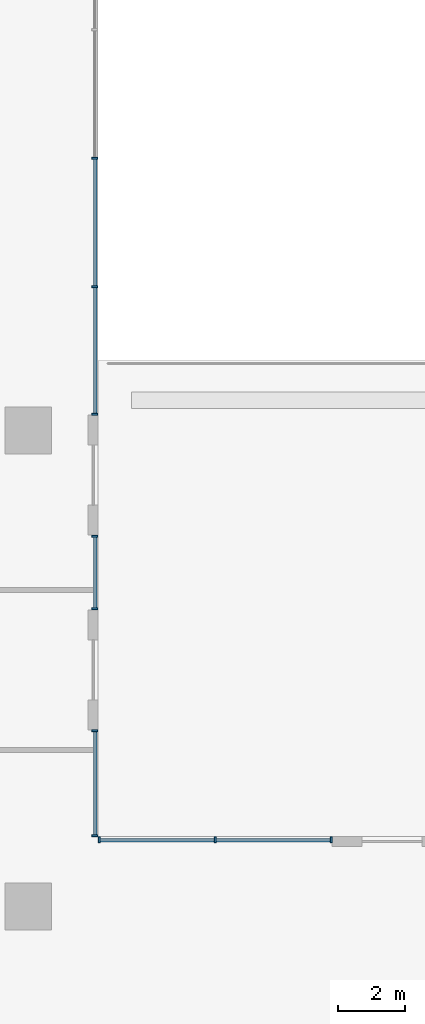
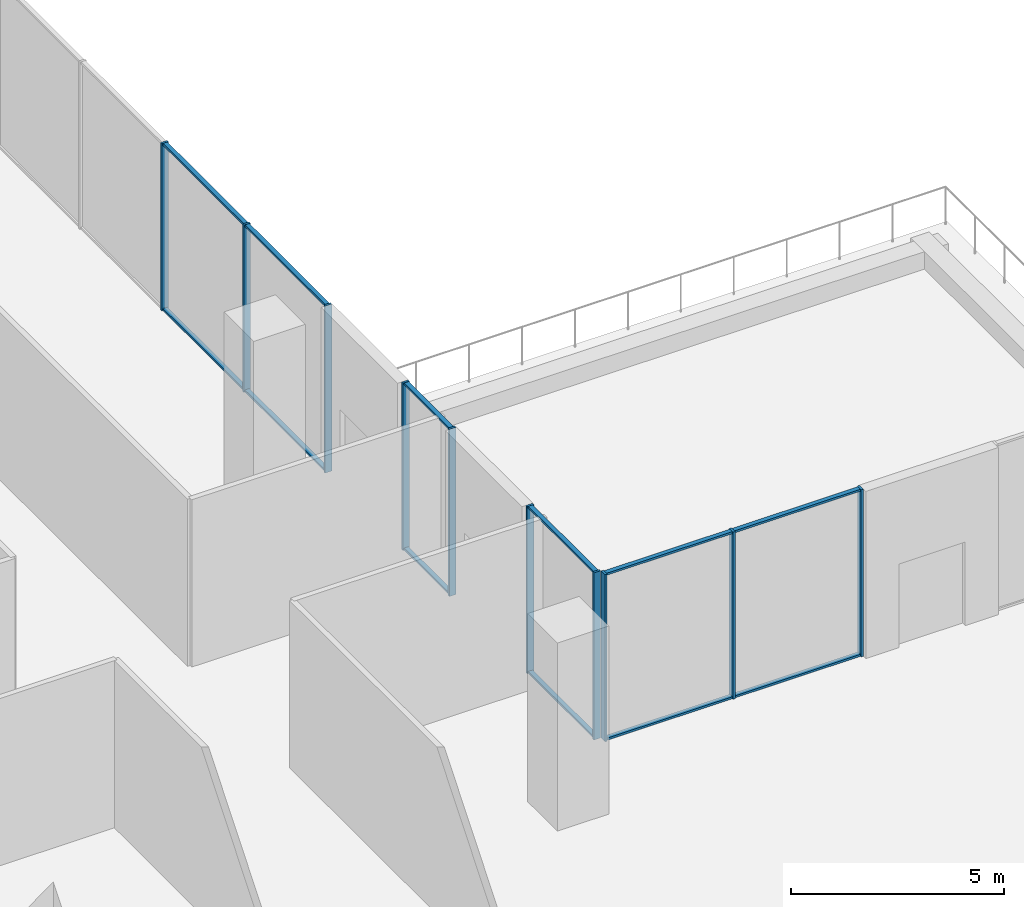
# One storey, part 7 of 23: 22 members, 4 elements without a shape of their own.
"""IFC4 building model written with IfcOpenShell, lengths in metres."""

from ifc_helpers import new_model, si_unit, direction, frame, origin, origin_2d, place, context, subcontext, project, spatial, rectangle, extrude, source, transform, mapped, material, layer, layer_set, material_profile, profile_set, type_object, element, aggregate, save


model = new_model("IFC4")

# Units and contexts
model_context = context("Model", 3, precision=1e-05, world=origin(), true_north=direction((0.0, 1.0)))
body_context = subcontext(model_context, "Body", "Model", "MODEL_VIEW")
ifc_project = project(units=[si_unit("LENGTHUNIT", "METRE"), si_unit("AREAUNIT", "SQUARE_METRE"), si_unit("VOLUMEUNIT", "CUBIC_METRE"), si_unit("PLANEANGLEUNIT", "RADIAN"), si_unit("MASSUNIT", "GRAM", prefix="KILO")], contexts=[model_context])

# Site, building, storey
site_placement = place(None, origin())
site = spatial("IfcSite", under=ifc_project, at=site_placement, CompositionType="ELEMENT")
building_placement = place(site_placement, origin())
building = spatial("IfcBuilding", under=site, at=building_placement, Name="Aurelian Terraces", CompositionType="ELEMENT")
storey_placement = place(building_placement, frame((0.0, 0.0, 23.7)))
storey = spatial("IfcBuildingStorey", under=building, at=storey_placement, Name="L04", CompositionType="ELEMENT", Elevation=23.7)

# Curtain wall, member
ifc_material_1 = material(Name="Anodised aluminium and clear glazing", Category="aluminium")
ifc_layer = layer(ifc_material_1, 0.2)
ifc_layer_set = layer_set([ifc_layer], Name="Winter garden glazing curtain wall")
curtain_wall_type = type_object("IfcCurtainWallType", Name="Winter garden glazing curtain wall", PredefinedType="NOTDEFINED", material=ifc_layer_set)
curtain_wall_1_placement = place(storey_placement, origin())
curtain_wall_1 = element("IfcCurtainWall", 1, at=curtain_wall_1_placement, inside=storey, type_object=curtain_wall_type, Name="Winter garden glazing L04 F04.1", PredefinedType="NOTDEFINED")
ifc_material_2 = material(Name="Anodised aluminium", Category="aluminium")
ifc_material_profile_1 = material_profile(ifc_material_2, rectangle(XDim=0.12, YDim=0.06, at=origin_2d()))
ifc_profile_set_1 = profile_set([ifc_material_profile_1], Name="Anodised aluminium")
member_type_1 = type_object("IfcMemberType", Name="Winter garden glazing transom", PredefinedType="USERDEFINED", material=ifc_profile_set_1)
member_1_placement = place(storey_placement, frame((54.08, 39.96, 0.03), z_axis=(0.0, 1.0, 0.0), x_axis=(-1.0, 0.0, 0.0)))
member_1 = element("IfcMember", 2, at=member_1_placement, type_object=member_type_1, Name="CW6 transom 1.1", ObjectType="TRANSOM", PredefinedType="USERDEFINED", context=body_context, shape_type="SweptSolid", body=[
    extrude(rectangle(XDim=0.12, YDim=0.06, at=origin_2d()), origin(), (0.0, 0.0, 1.0), 3.08),
])

curtain_wall_2_placement = place(storey_placement, origin())
curtain_wall_2 = element("IfcCurtainWall", 3, at=curtain_wall_2_placement, inside=storey, type_object=curtain_wall_type, Name="Winter garden glazing L04 F04.3", PredefinedType="NOTDEFINED")
member_2_placement = place(storey_placement, frame((54.08, 46.76, 0.03), z_axis=(0.0, 1.0, 0.0), x_axis=(-1.0, 0.0, 0.0)))
member_2 = element("IfcMember", 4, at=member_2_placement, type_object=member_type_1, Name="CW6 transom 1.1", ObjectType="TRANSOM", PredefinedType="USERDEFINED", context=body_context, shape_type="SweptSolid", body=[
    extrude(rectangle(XDim=0.12, YDim=0.06, at=origin_2d()), origin(), (0.0, 0.0, 1.0), 2.12),
])

# Curtain wall, members
curtain_wall_3_placement = place(storey_placement, origin())
curtain_wall_3 = element("IfcCurtainWall", 5, at=curtain_wall_3_placement, inside=storey, type_object=curtain_wall_type, Name="Winter garden glazing L04 F04.5", PredefinedType="NOTDEFINED")
member_3_placement = place(storey_placement, frame((54.08, 52.6, 0.03), z_axis=(0.0, 1.0, 0.0), x_axis=(-1.0, 0.0, 0.0)))
member_3 = element("IfcMember", 6, at=member_3_placement, type_object=member_type_1, Name="CW6 transom 1.1", ObjectType="TRANSOM", PredefinedType="USERDEFINED", context=body_context, shape_type="SweptSolid", body=[
    extrude(rectangle(XDim=0.12, YDim=0.06, at=origin_2d()), origin(), (0.0, 0.0, 1.0), 3.766),
])
member_4_placement = place(storey_placement, frame((54.08, 56.426, 0.03), z_axis=(0.0, 1.0, 0.0), x_axis=(-1.0, 0.0, 0.0)))
member_4 = element("IfcMember", 7, at=member_4_placement, type_object=member_type_1, Name="CW6 transom 2.1", ObjectType="TRANSOM", PredefinedType="USERDEFINED", context=body_context, shape_type="SweptSolid", body=[
    extrude(rectangle(XDim=0.12, YDim=0.06, at=origin_2d()), origin(), (0.0, 0.0, 1.0), 3.796),
])

curtain_wall_4_placement = place(storey_placement, origin())
curtain_wall_4 = element("IfcCurtainWall", 8, at=curtain_wall_4_placement, inside=storey, type_object=curtain_wall_type, Name="Winter garden glazing L04 F03.3", PredefinedType="NOTDEFINED")
ifc_material_profile_2 = material_profile(ifc_material_2, rectangle(XDim=0.18, YDim=0.06, at=origin_2d()))
ifc_profile_set_2 = profile_set([ifc_material_profile_2], Name="Anodised aluminium")
member_type_2 = type_object("IfcMemberType", Name="Winter garden glazing mullion", PredefinedType="MULLION", material=ifc_profile_set_2)
shared_shape_1 = source(origin(), body_context, "Body", "SweptSolid", [
    extrude(rectangle(XDim=0.18, YDim=0.06, at=origin_2d()), origin(), (0.0, 0.0, 1.0), 4.8),
])
member_5_placement = place(storey_placement, frame((61.17, 39.8, 0.0), z_axis=(0.0, 0.0, 1.0), x_axis=(0.0, -1.0, 0.0)))
member_5 = element("IfcMember", 9, at=member_5_placement, type_object=member_type_2, Name="CW6 mullion 1", PredefinedType="MULLION", context=body_context, shape_type="MappedRepresentation", body=[
    mapped(shared_shape_1, transform((0.0, 0.0, 0.0), scale=1.0)),
])
member_6_placement = place(storey_placement, frame((57.69, 39.8, 0.0), z_axis=(0.0, 0.0, 1.0), x_axis=(0.0, -1.0, 0.0)))
member_6 = element("IfcMember", 10, at=member_6_placement, type_object=member_type_2, Name="CW6 mullion 2", PredefinedType="MULLION", context=body_context, shape_type="MappedRepresentation", body=[
    mapped(shared_shape_1, transform((0.0, 0.0, 0.0), scale=1.0)),
])
member_7_placement = place(storey_placement, frame((54.21, 39.8, 0.0), z_axis=(0.0, 0.0, 1.0), x_axis=(0.0, -1.0, 0.0)))
member_7 = element("IfcMember", 11, at=member_7_placement, type_object=member_type_2, Name="CW6 mullion 3", PredefinedType="MULLION", context=body_context, shape_type="MappedRepresentation", body=[
    mapped(shared_shape_1, transform((0.0, 0.0, 0.0), scale=1.0)),
])

# Member
member_8_placement = place(storey_placement, frame((54.08, 39.93, 0.0), z_axis=(0.0, 0.0, 1.0), x_axis=(-1.0, 0.0, 0.0)))
member_8 = element("IfcMember", 12, at=member_8_placement, type_object=member_type_2, Name="CW6 mullion 1", PredefinedType="MULLION", context=body_context, shape_type="MappedRepresentation", body=[
    mapped(shared_shape_1, transform((0.0, 0.0, 0.0), scale=1.0)),
])

member_9_placement = place(storey_placement, frame((54.08, 43.07, 0.0), z_axis=(0.0, 0.0, 1.0), x_axis=(-1.0, 0.0, 0.0)))
member_9 = element("IfcMember", 13, at=member_9_placement, type_object=member_type_2, Name="CW6 mullion 2", PredefinedType="MULLION", context=body_context, shape_type="MappedRepresentation", body=[
    mapped(shared_shape_1, transform((0.0, 0.0, 0.0), scale=1.0)),
])

member_10_placement = place(storey_placement, frame((54.08, 46.73, 0.0), z_axis=(0.0, 0.0, 1.0), x_axis=(-1.0, 0.0, 0.0)))
member_10 = element("IfcMember", 14, at=member_10_placement, type_object=member_type_2, Name="CW6 mullion 1", PredefinedType="MULLION", context=body_context, shape_type="MappedRepresentation", body=[
    mapped(shared_shape_1, transform((0.0, 0.0, 0.0), scale=1.0)),
])

member_11_placement = place(storey_placement, frame((54.08, 48.91, 0.0), z_axis=(0.0, 0.0, 1.0), x_axis=(-1.0, 0.0, 0.0)))
member_11 = element("IfcMember", 15, at=member_11_placement, type_object=member_type_2, Name="CW6 mullion 2", PredefinedType="MULLION", context=body_context, shape_type="MappedRepresentation", body=[
    mapped(shared_shape_1, transform((0.0, 0.0, 0.0), scale=1.0)),
])

member_12_placement = place(storey_placement, frame((54.08, 52.57, 0.0), z_axis=(0.0, 0.0, 1.0), x_axis=(-1.0, 0.0, 0.0)))
member_12 = element("IfcMember", 16, at=member_12_placement, type_object=member_type_2, Name="CW6 mullion 1", PredefinedType="MULLION", context=body_context, shape_type="MappedRepresentation", body=[
    mapped(shared_shape_1, transform((0.0, 0.0, 0.0), scale=1.0)),
])

member_13_placement = place(storey_placement, frame((54.08, 56.396, 0.0), z_axis=(0.0, 0.0, 1.0), x_axis=(-1.0, 0.0, 0.0)))
member_13 = element("IfcMember", 17, at=member_13_placement, type_object=member_type_2, Name="CW6 mullion 2", PredefinedType="MULLION", context=body_context, shape_type="MappedRepresentation", body=[
    mapped(shared_shape_1, transform((0.0, 0.0, 0.0), scale=1.0)),
])

member_14_placement = place(storey_placement, frame((54.08, 60.252, 0.0), z_axis=(0.0, 0.0, 1.0), x_axis=(-1.0, 0.0, 0.0)))
member_14 = element("IfcMember", 18, at=member_14_placement, type_object=member_type_2, Name="CW6 mullion 3", PredefinedType="MULLION", context=body_context, shape_type="MappedRepresentation", body=[
    mapped(shared_shape_1, transform((0.0, 0.0, 0.0), scale=1.0)),
])

shared_shape_2 = source(origin(), body_context, "Body", "SweptSolid", [
    extrude(rectangle(XDim=0.12, YDim=0.06, at=origin_2d()), origin(), (0.0, 0.0, 1.0), 3.42),
])
member_15_placement = place(storey_placement, frame((61.14, 39.8, 0.03), z_axis=(-1.0, 0.0, 0.0), x_axis=(0.0, -1.0, 0.0)))
member_15 = element("IfcMember", 19, at=member_15_placement, type_object=member_type_1, Name="CW6 transom 1.1", ObjectType="TRANSOM", PredefinedType="USERDEFINED", context=body_context, shape_type="MappedRepresentation", body=[
    mapped(shared_shape_2, transform((0.0, 0.0, 0.0), scale=1.0)),
])

member_16_placement = place(storey_placement, frame((61.14, 39.8, 4.77), z_axis=(-1.0, 0.0, 0.0), x_axis=(0.0, -1.0, 0.0)))
member_16 = element("IfcMember", 20, at=member_16_placement, type_object=member_type_1, Name="CW6 transom 1.2", ObjectType="TRANSOM", PredefinedType="USERDEFINED", context=body_context, shape_type="MappedRepresentation", body=[
    mapped(shared_shape_2, transform((0.0, 0.0, 0.0), scale=1.0)),
])

member_17_placement = place(storey_placement, frame((57.66, 39.8, 0.03), z_axis=(-1.0, 0.0, 0.0), x_axis=(0.0, -1.0, 0.0)))
member_17 = element("IfcMember", 21, at=member_17_placement, type_object=member_type_1, Name="CW6 transom 2.1", ObjectType="TRANSOM", PredefinedType="USERDEFINED", context=body_context, shape_type="MappedRepresentation", body=[
    mapped(shared_shape_2, transform((0.0, 0.0, 0.0), scale=1.0)),
])

member_18_placement = place(storey_placement, frame((57.66, 39.8, 4.77), z_axis=(-1.0, 0.0, 0.0), x_axis=(0.0, -1.0, 0.0)))
member_18 = element("IfcMember", 22, at=member_18_placement, type_object=member_type_1, Name="CW6 transom 2.2", ObjectType="TRANSOM", PredefinedType="USERDEFINED", context=body_context, shape_type="MappedRepresentation", body=[
    mapped(shared_shape_2, transform((0.0, 0.0, 0.0), scale=1.0)),
])

aggregate(curtain_wall_4, [member_5, member_6, member_7, member_15, member_16, member_17, member_18])

shared_shape_3 = source(origin(), body_context, "Body", "SweptSolid", [
    extrude(rectangle(XDim=0.12, YDim=0.06, at=origin_2d()), origin(), (0.0, 0.0, 1.0), 3.08),
])
member_19_placement = place(storey_placement, frame((54.08, 39.96, 4.77), z_axis=(0.0, 1.0, 0.0), x_axis=(-1.0, 0.0, 0.0)))
member_19 = element("IfcMember", 23, at=member_19_placement, type_object=member_type_1, Name="CW6 transom 1.2", ObjectType="TRANSOM", PredefinedType="USERDEFINED", context=body_context, shape_type="MappedRepresentation", body=[
    mapped(shared_shape_3, transform((0.0, 0.0, 0.0), scale=1.0)),
])

aggregate(curtain_wall_1, [member_8, member_9, member_1, member_19])

shared_shape_4 = source(origin(), body_context, "Body", "SweptSolid", [
    extrude(rectangle(XDim=0.12, YDim=0.06, at=origin_2d()), origin(), (0.0, 0.0, 1.0), 2.12),
])
member_20_placement = place(storey_placement, frame((54.08, 46.76, 4.77), z_axis=(0.0, 1.0, 0.0), x_axis=(-1.0, 0.0, 0.0)))
member_20 = element("IfcMember", 24, at=member_20_placement, type_object=member_type_1, Name="CW6 transom 1.2", ObjectType="TRANSOM", PredefinedType="USERDEFINED", context=body_context, shape_type="MappedRepresentation", body=[
    mapped(shared_shape_4, transform((0.0, 0.0, 0.0), scale=1.0)),
])

aggregate(curtain_wall_2, [member_10, member_11, member_2, member_20])

shared_shape_5 = source(origin(), body_context, "Body", "SweptSolid", [
    extrude(rectangle(XDim=0.12, YDim=0.06, at=origin_2d()), origin(), (0.0, 0.0, 1.0), 3.766),
])
member_21_placement = place(storey_placement, frame((54.08, 52.6, 4.77), z_axis=(0.0, 1.0, 0.0), x_axis=(-1.0, 0.0, 0.0)))
member_21 = element("IfcMember", 25, at=member_21_placement, type_object=member_type_1, Name="CW6 transom 1.2", ObjectType="TRANSOM", PredefinedType="USERDEFINED", context=body_context, shape_type="MappedRepresentation", body=[
    mapped(shared_shape_5, transform((0.0, 0.0, 0.0), scale=1.0)),
])

shared_shape_6 = source(origin(), body_context, "Body", "SweptSolid", [
    extrude(rectangle(XDim=0.12, YDim=0.06, at=origin_2d()), origin(), (0.0, 0.0, 1.0), 3.796),
])
member_22_placement = place(storey_placement, frame((54.08, 56.426, 4.77), z_axis=(0.0, 1.0, 0.0), x_axis=(-1.0, 0.0, 0.0)))
member_22 = element("IfcMember", 26, at=member_22_placement, type_object=member_type_1, Name="CW6 transom 2.2", ObjectType="TRANSOM", PredefinedType="USERDEFINED", context=body_context, shape_type="MappedRepresentation", body=[
    mapped(shared_shape_6, transform((0.0, 0.0, 0.0), scale=1.0)),
])

aggregate(curtain_wall_3, [member_12, member_13, member_14, member_3, member_21, member_4, member_22])

save(model, "model.ifc")
